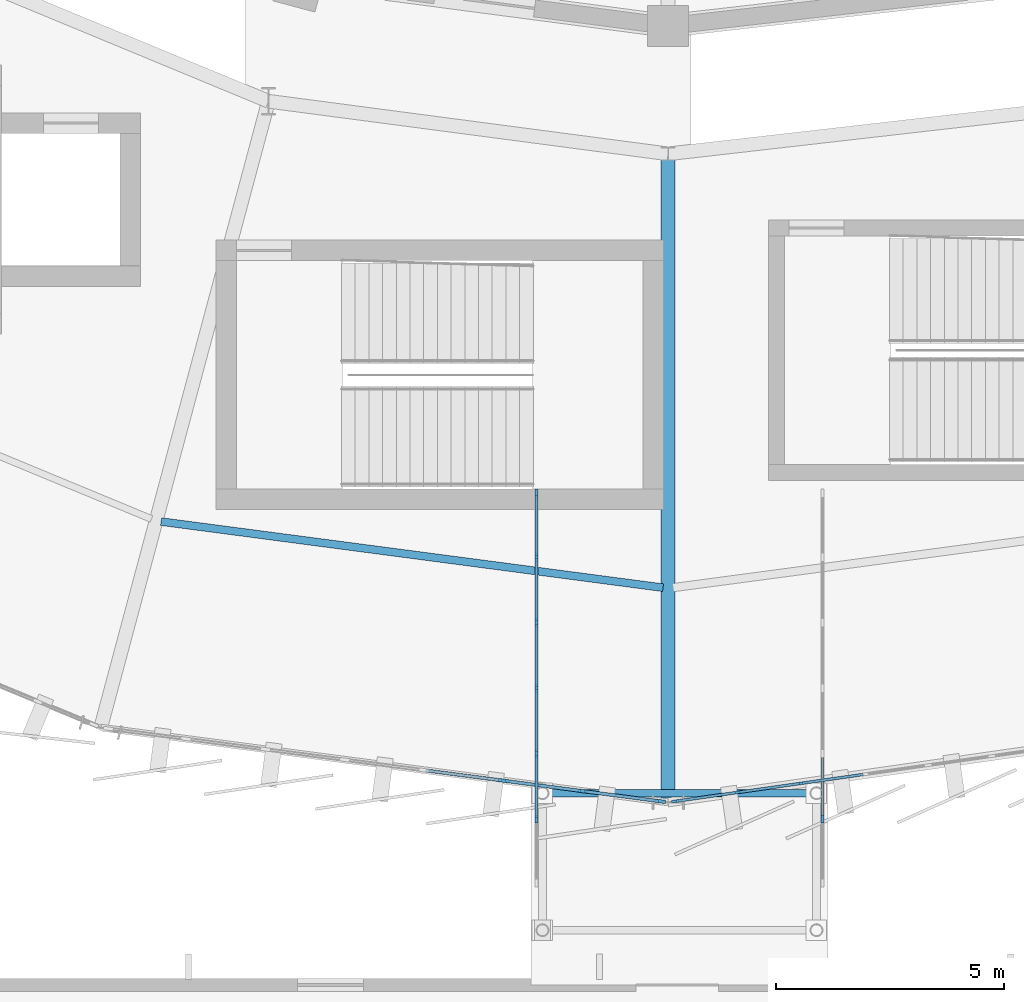
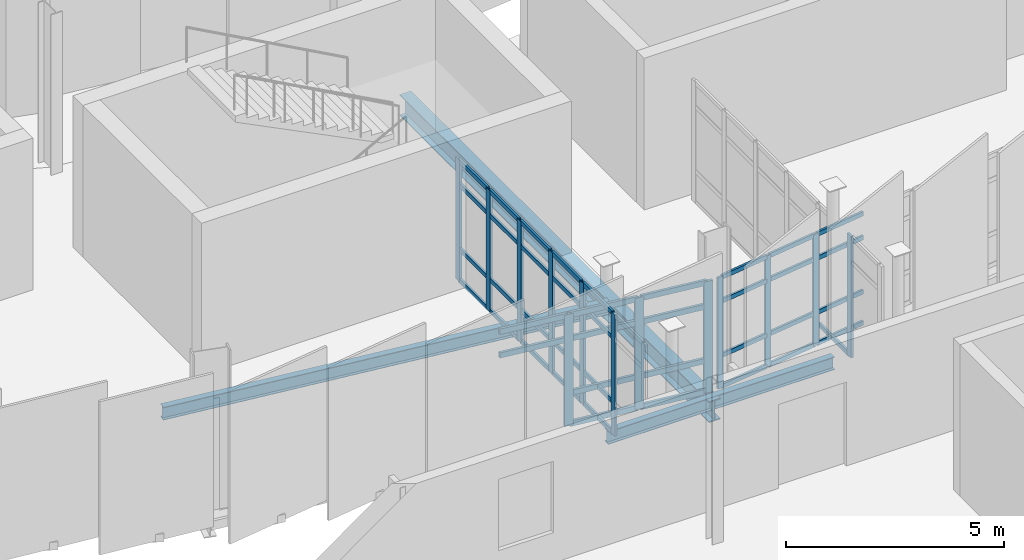
# One storey, part 34 of 134: 56 members, 3 beams, 4 elements without a shape of their own.
"""IFC4 building model written with IfcOpenShell, lengths in metres."""

from ifc_helpers import new_model, si_unit, direction, frame, origin, origin_2d, place, context, subcontext, project, spatial, rectangle, i_section, extrude, material, layer, layer_set, material_profile, profile_set, type_object, element, aggregate, save


model = new_model("IFC4")

# Units and contexts
model_context = context("Model", 3, precision=1e-05, world=origin(), true_north=direction((0.0, 1.0)))
body_context = subcontext(model_context, "Body", "Model", "MODEL_VIEW")
ifc_project = project(units=[si_unit("LENGTHUNIT", "METRE"), si_unit("AREAUNIT", "SQUARE_METRE"), si_unit("VOLUMEUNIT", "CUBIC_METRE"), si_unit("PLANEANGLEUNIT", "RADIAN"), si_unit("MASSUNIT", "GRAM", prefix="KILO")], contexts=[model_context])

# Site, building, storey
site_placement = place(None, origin())
site = spatial("IfcSite", under=ifc_project, at=site_placement, CompositionType="ELEMENT")
building_placement = place(site_placement, origin())
building = spatial("IfcBuilding", under=site, at=building_placement, Name="Sohan Crest Arena", CompositionType="ELEMENT")
storey_placement = place(building_placement, frame((0.0, 0.0, 4.5)))
storey = spatial("IfcBuildingStorey", under=building, at=storey_placement, Name="L01", CompositionType="ELEMENT", Elevation=4.5)

# Curtain wall, members
ifc_material_1 = material(Name="Thermally broken anodised aluminium", Category="aluminium")
ifc_layer_1 = layer(ifc_material_1, 0.179931640625, Name="Thermally broken anodised aluminium")
ifc_layer_set_1 = layer_set([ifc_layer_1], Name="Thermally broken anodised aluminium")
curtain_wall_type_1 = type_object("IfcCurtainWallType", Name="ARC-CW01", PredefinedType="NOTDEFINED", material=ifc_layer_set_1)
curtain_wall_1_placement = place(storey_placement, origin())
curtain_wall_1 = element("IfcCurtainWall", 1, at=curtain_wall_1_placement, inside=storey, type_object=curtain_wall_type_1, Name="Unitised curtain wall CW-030", PredefinedType="NOTDEFINED")
ifc_material_profile_1 = material_profile(ifc_material_1, rectangle(XDim=0.06005859375, YDim=0.159912109375, at=origin_2d()), Name="ALU-MULL 60x160")
ifc_profile_set_1 = profile_set([ifc_material_profile_1], Name="Thermally broken anodised aluminium")
member_type_1 = type_object("IfcMemberType", Name="ARC-CW-ML01", PredefinedType="MULLION", material=ifc_profile_set_1)
member_1_placement = place(storey_placement, frame((98.15869140625, 30.022216796875, 0.0), z_axis=(0.0, 0.0, 1.0), x_axis=(-0.141549389674, 0.989931194722, 0.0)))
member_1 = element("IfcMember", 2, at=member_1_placement, type_object=member_type_1, Name="CW-030 mullion 1", PredefinedType="MULLION", context=body_context, shape_type="SweptSolid", body=[
    extrude(rectangle(XDim=0.06005859375, YDim=0.159912109375, at=origin_2d()), origin(), (0.0, 0.0, 1.0), 3.1201171875),
])
member_2_placement = place(storey_placement, frame((99.520751953125, 30.217041015625, 0.0), z_axis=(0.0, 0.0, 1.0), x_axis=(-0.141549389674, 0.989931194722, 0.0)))
member_2 = element("IfcMember", 3, at=member_2_placement, type_object=member_type_1, Name="CW-030 mullion 2", PredefinedType="MULLION", context=body_context, shape_type="SweptSolid", body=[
    extrude(rectangle(XDim=0.06005859375, YDim=0.159912109375, at=origin_2d()), origin(), (0.0, 0.0, 1.0), 3.1201171875),
])
member_3_placement = place(storey_placement, frame((100.912353515625, 30.416015625, 0.0), z_axis=(0.0, 0.0, 1.0), x_axis=(-0.141549389674, 0.989931194722, 0.0)))
member_3 = element("IfcMember", 4, at=member_3_placement, type_object=member_type_1, Name="CW-030 mullion 3", PredefinedType="MULLION", context=body_context, shape_type="SweptSolid", body=[
    extrude(rectangle(XDim=0.06005859375, YDim=0.159912109375, at=origin_2d()), origin(), (0.0, 0.0, 1.0), 3.1201171875),
])

ifc_layer_2 = layer(ifc_material_1, 0.18994140625, Name="Thermally broken anodised aluminium")
ifc_layer_set_2 = layer_set([ifc_layer_2], Name="Thermally broken anodised aluminium")
curtain_wall_type_2 = type_object("IfcCurtainWallType", Name="ARC-CW05", PredefinedType="NOTDEFINED", material=ifc_layer_set_2)
curtain_wall_2_placement = place(storey_placement, origin())
curtain_wall_2 = element("IfcCurtainWall", 5, at=curtain_wall_2_placement, inside=storey, type_object=curtain_wall_type_2, Name="Unitised curtain wall CW-249", PredefinedType="NOTDEFINED")
ifc_material_profile_2 = material_profile(ifc_material_1, rectangle(XDim=0.06494140625, YDim=0.179931640625, at=origin_2d()), Name="ALU-MULL 65x180")
ifc_profile_set_2 = profile_set([ifc_material_profile_2], Name="Thermally broken anodised aluminium")
member_type_2 = type_object("IfcMemberType", Name="ARC-CW-ML02", PredefinedType="MULLION", material=ifc_profile_set_2)
member_4_placement = place(storey_placement, frame((95.1201171875, 29.63330078125, 0.0), z_axis=(0.0, 0.0, 1.0), x_axis=(-1.0, 0.0, 0.0)))
member_4 = element("IfcMember", 6, at=member_4_placement, type_object=member_type_2, Name="CW-249 mullion 2", PredefinedType="MULLION", context=body_context, shape_type="SweptSolid", body=[
    extrude(rectangle(XDim=0.06494140625, YDim=0.179931640625, at=origin_2d()), origin(), (0.0, 0.0, 1.0), 3.39990234375),
])
member_5_placement = place(storey_placement, frame((95.1201171875, 31.066650390625, 0.0), z_axis=(0.0, 0.0, 1.0), x_axis=(-1.0, 0.0, 0.0)))
member_5 = element("IfcMember", 7, at=member_5_placement, type_object=member_type_2, Name="CW-249 mullion 3", PredefinedType="MULLION", context=body_context, shape_type="SweptSolid", body=[
    extrude(rectangle(XDim=0.06494140625, YDim=0.179931640625, at=origin_2d()), origin(), (0.0, 0.0, 1.0), 3.39990234375),
])
member_6_placement = place(storey_placement, frame((95.1201171875, 32.5, 0.0), z_axis=(0.0, 0.0, 1.0), x_axis=(-1.0, 0.0, 0.0)))
member_6 = element("IfcMember", 8, at=member_6_placement, type_object=member_type_2, Name="CW-249 mullion 4", PredefinedType="MULLION", context=body_context, shape_type="SweptSolid", body=[
    extrude(rectangle(XDim=0.06494140625, YDim=0.179931640625, at=origin_2d()), origin(), (0.0, 0.0, 1.0), 3.39990234375),
])
member_7_placement = place(storey_placement, frame((95.1201171875, 33.933349609375, 0.0), z_axis=(0.0, 0.0, 1.0), x_axis=(-1.0, 0.0, 0.0)))
member_7 = element("IfcMember", 9, at=member_7_placement, type_object=member_type_2, Name="CW-249 mullion 5", PredefinedType="MULLION", context=body_context, shape_type="SweptSolid", body=[
    extrude(rectangle(XDim=0.06494140625, YDim=0.179931640625, at=origin_2d()), origin(), (0.0, 0.0, 1.0), 3.39990234375),
])
member_8_placement = place(storey_placement, frame((95.1201171875, 35.36669921875, 0.0), z_axis=(0.0, 0.0, 1.0), x_axis=(-1.0, 0.0, 0.0)))
member_8 = element("IfcMember", 10, at=member_8_placement, type_object=member_type_2, Name="CW-249 mullion 6", PredefinedType="MULLION", context=body_context, shape_type="SweptSolid", body=[
    extrude(rectangle(XDim=0.06494140625, YDim=0.179931640625, at=origin_2d()), origin(), (0.0, 0.0, 1.0), 3.39990234375),
])
member_9_placement = place(storey_placement, frame((95.1201171875, 36.767578125, 0.0), z_axis=(0.0, 0.0, 1.0), x_axis=(-1.0, 0.0, 0.0)))
member_9 = element("IfcMember", 11, at=member_9_placement, type_object=member_type_2, Name="CW-249 mullion 7", PredefinedType="MULLION", context=body_context, shape_type="SweptSolid", body=[
    extrude(rectangle(XDim=0.06494140625, YDim=0.179931640625, at=origin_2d()), origin(), (0.0, 0.0, 1.0), 3.39990234375),
])

# Curtain wall, member
curtain_wall_3_placement = place(storey_placement, origin())
curtain_wall_3 = element("IfcCurtainWall", 12, at=curtain_wall_3_placement, inside=storey, type_object=curtain_wall_type_2, Name="Unitised curtain wall CW-250", PredefinedType="NOTDEFINED")
member_10_placement = place(storey_placement, frame((101.3798828125, 29.63330078125, 0.0), z_axis=(0.0, 0.0, 1.0), x_axis=(-1.0, 0.0, 0.0)))
member_10 = element("IfcMember", 13, at=member_10_placement, type_object=member_type_2, Name="CW-250 mullion 2", PredefinedType="MULLION", context=body_context, shape_type="SweptSolid", body=[
    extrude(rectangle(XDim=0.06494140625, YDim=0.179931640625, at=origin_2d()), origin(), (0.0, 0.0, 1.0), 3.39990234375),
])

# Curtain wall, members
ifc_layer_3 = layer(ifc_material_1, 0.2099609375, Name="Thermally broken anodised aluminium")
ifc_layer_set_3 = layer_set([ifc_layer_3], Name="Thermally broken anodised aluminium")
curtain_wall_type_3 = type_object("IfcCurtainWallType", Name="ARC-CW06", PredefinedType="NOTDEFINED", material=ifc_layer_set_3)
curtain_wall_4_placement = place(storey_placement, origin())
curtain_wall_4 = element("IfcCurtainWall", 14, at=curtain_wall_4_placement, inside=storey, type_object=curtain_wall_type_3, Name="Unitised curtain wall CW-029", PredefinedType="NOTDEFINED")
ifc_material_profile_3 = material_profile(ifc_material_1, rectangle(XDim=0.074951171875, YDim=0.219970703125, at=origin_2d()), Name="ALU-MULL 75x220")
ifc_profile_set_3 = profile_set([ifc_material_profile_3], Name="Thermally broken anodised aluminium")
member_type_3 = type_object("IfcMemberType", Name="ARC-CW-ML04", PredefinedType="MULLION", material=ifc_profile_set_3)
member_11_placement = place(storey_placement, frame((94.395263671875, 30.474609375, 0.0), z_axis=(0.0, 0.0, 1.0), x_axis=(0.130562031094, 0.991440142438, 0.0)))
member_11 = element("IfcMember", 15, at=member_11_placement, type_object=member_type_3, Name="CW-029 mullion 6", PredefinedType="MULLION", context=body_context, shape_type="SweptSolid", body=[
    extrude(rectangle(XDim=0.074951171875, YDim=0.219970703125, at=origin_2d()), origin(), (0.0, 0.0, 1.0), 3.1201171875),
])
member_12_placement = place(storey_placement, frame((96.133056640625, 30.245849609375, 0.0), z_axis=(0.0, 0.0, 1.0), x_axis=(0.130562031094, 0.991440142438, 0.0)))
member_12 = element("IfcMember", 16, at=member_12_placement, type_object=member_type_3, Name="CW-029 mullion 7", PredefinedType="MULLION", context=body_context, shape_type="SweptSolid", body=[
    extrude(rectangle(XDim=0.074951171875, YDim=0.219970703125, at=origin_2d()), origin(), (0.0, 0.0, 1.0), 3.1201171875),
])
member_13_placement = place(storey_placement, frame((97.833740234375, 30.02197265625, 0.0), z_axis=(0.0, 0.0, 1.0), x_axis=(0.130562031094, 0.991440142438, 0.0)))
member_13 = element("IfcMember", 17, at=member_13_placement, type_object=member_type_3, Name="CW-029 mullion 8", PredefinedType="MULLION", context=body_context, shape_type="SweptSolid", body=[
    extrude(rectangle(XDim=0.074951171875, YDim=0.219970703125, at=origin_2d()), origin(), (0.0, 0.0, 1.0), 3.1201171875),
])

# Member
ifc_material_profile_4 = material_profile(ifc_material_1, rectangle(XDim=0.06005859375, YDim=0.1201171875, at=origin_2d()), Name="ALU-TRAN 60x120")
ifc_profile_set_4 = profile_set([ifc_material_profile_4], Name="Thermally broken anodised aluminium")
member_type_4 = type_object("IfcMemberType", Name="ARC-CW-TR01", PredefinedType="USERDEFINED", material=ifc_profile_set_4)
member_14_placement = place(storey_placement, frame((98.1884765625, 30.026611328125, 0.030029296875), z_axis=(0.989953204485, 0.141395378035, 0.0), x_axis=(-0.141395378035, 0.989953204485, 0.0)))
member_14 = element("IfcMember", 18, at=member_14_placement, type_object=member_type_4, Name="CW-030 transom 1.1", ObjectType="TRANSOM", PredefinedType="USERDEFINED", context=body_context, shape_type="SweptSolid", body=[
    extrude(rectangle(XDim=0.06005859375, YDim=0.1201171875, at=origin_2d()), origin(), (0.0, 0.0, 1.0), 1.315673828125),
])

member_15_placement = place(storey_placement, frame((98.1884765625, 30.026611328125, 0.89990234375), z_axis=(0.989953204485, 0.141395378035, 0.0), x_axis=(-0.141395378035, 0.989953204485, 0.0)))
member_15 = element("IfcMember", 19, at=member_15_placement, type_object=member_type_4, Name="CW-030 transom 1.2", ObjectType="TRANSOM", PredefinedType="USERDEFINED", context=body_context, shape_type="SweptSolid", body=[
    extrude(rectangle(XDim=0.06005859375, YDim=0.1201171875, at=origin_2d()), origin(), (0.0, 0.0, 1.0), 1.315673828125),
])

member_16_placement = place(storey_placement, frame((98.1884765625, 30.026611328125, 2.419921875), z_axis=(0.989953204485, 0.141395378035, 0.0), x_axis=(-0.141395378035, 0.989953204485, 0.0)))
member_16 = element("IfcMember", 20, at=member_16_placement, type_object=member_type_4, Name="CW-030 transom 1.3", ObjectType="TRANSOM", PredefinedType="USERDEFINED", context=body_context, shape_type="SweptSolid", body=[
    extrude(rectangle(XDim=0.06005859375, YDim=0.1201171875, at=origin_2d()), origin(), (0.0, 0.0, 1.0), 1.315673828125),
])

member_17_placement = place(storey_placement, frame((98.1884765625, 30.026611328125, 3.090087890625), z_axis=(0.989953204485, 0.141395378035, 0.0), x_axis=(-0.141395378035, 0.989953204485, 0.0)))
member_17 = element("IfcMember", 21, at=member_17_placement, type_object=member_type_4, Name="CW-030 transom 1.4", ObjectType="TRANSOM", PredefinedType="USERDEFINED", context=body_context, shape_type="SweptSolid", body=[
    extrude(rectangle(XDim=0.06005859375, YDim=0.1201171875, at=origin_2d()), origin(), (0.0, 0.0, 1.0), 1.315673828125),
])

member_18_placement = place(storey_placement, frame((99.55029296875, 30.22119140625, 0.030029296875), z_axis=(0.989916820705, 0.141649878522, 0.0), x_axis=(-0.141649878522, 0.989916820705, 0.0)))
member_18 = element("IfcMember", 22, at=member_18_placement, type_object=member_type_4, Name="CW-030 transom 2.1", ObjectType="TRANSOM", PredefinedType="USERDEFINED", context=body_context, shape_type="SweptSolid", body=[
    extrude(rectangle(XDim=0.06005859375, YDim=0.1201171875, at=origin_2d()), origin(), (0.0, 0.0, 1.0), 1.34619140625),
])

member_19_placement = place(storey_placement, frame((99.55029296875, 30.22119140625, 0.89990234375), z_axis=(0.989916820705, 0.141649878522, 0.0), x_axis=(-0.141649878522, 0.989916820705, 0.0)))
member_19 = element("IfcMember", 23, at=member_19_placement, type_object=member_type_4, Name="CW-030 transom 2.2", ObjectType="TRANSOM", PredefinedType="USERDEFINED", context=body_context, shape_type="SweptSolid", body=[
    extrude(rectangle(XDim=0.06005859375, YDim=0.1201171875, at=origin_2d()), origin(), (0.0, 0.0, 1.0), 1.34619140625),
])

member_20_placement = place(storey_placement, frame((99.55029296875, 30.22119140625, 2.419921875), z_axis=(0.989916820705, 0.141649878522, 0.0), x_axis=(-0.141649878522, 0.989916820705, 0.0)))
member_20 = element("IfcMember", 24, at=member_20_placement, type_object=member_type_4, Name="CW-030 transom 2.3", ObjectType="TRANSOM", PredefinedType="USERDEFINED", context=body_context, shape_type="SweptSolid", body=[
    extrude(rectangle(XDim=0.06005859375, YDim=0.1201171875, at=origin_2d()), origin(), (0.0, 0.0, 1.0), 1.34619140625),
])

member_21_placement = place(storey_placement, frame((99.55029296875, 30.22119140625, 3.090087890625), z_axis=(0.989916820705, 0.141649878522, 0.0), x_axis=(-0.141649878522, 0.989916820705, 0.0)))
member_21 = element("IfcMember", 25, at=member_21_placement, type_object=member_type_4, Name="CW-030 transom 2.4", ObjectType="TRANSOM", PredefinedType="USERDEFINED", context=body_context, shape_type="SweptSolid", body=[
    extrude(rectangle(XDim=0.06005859375, YDim=0.1201171875, at=origin_2d()), origin(), (0.0, 0.0, 1.0), 1.34619140625),
])

member_22_placement = place(storey_placement, frame((100.942138671875, 30.420166015625, 0.030029296875), z_axis=(0.989913180595, 0.141675315016, 0.0), x_axis=(-0.141675315016, 0.989913180595, 0.0)))
member_22 = element("IfcMember", 26, at=member_22_placement, type_object=member_type_4, Name="CW-030 transom 3.1", ObjectType="TRANSOM", PredefinedType="USERDEFINED", context=body_context, shape_type="SweptSolid", body=[
    extrude(rectangle(XDim=0.06005859375, YDim=0.1201171875, at=origin_2d()), origin(), (0.0, 0.0, 1.0), 1.345947265625),
])

member_23_placement = place(storey_placement, frame((100.942138671875, 30.420166015625, 0.89990234375), z_axis=(0.989913180595, 0.141675315016, 0.0), x_axis=(-0.141675315016, 0.989913180595, 0.0)))
member_23 = element("IfcMember", 27, at=member_23_placement, type_object=member_type_4, Name="CW-030 transom 3.2", ObjectType="TRANSOM", PredefinedType="USERDEFINED", context=body_context, shape_type="SweptSolid", body=[
    extrude(rectangle(XDim=0.06005859375, YDim=0.1201171875, at=origin_2d()), origin(), (0.0, 0.0, 1.0), 1.345947265625),
])

member_24_placement = place(storey_placement, frame((100.942138671875, 30.420166015625, 2.419921875), z_axis=(0.989913180595, 0.141675315016, 0.0), x_axis=(-0.141675315016, 0.989913180595, 0.0)))
member_24 = element("IfcMember", 28, at=member_24_placement, type_object=member_type_4, Name="CW-030 transom 3.3", ObjectType="TRANSOM", PredefinedType="USERDEFINED", context=body_context, shape_type="SweptSolid", body=[
    extrude(rectangle(XDim=0.06005859375, YDim=0.1201171875, at=origin_2d()), origin(), (0.0, 0.0, 1.0), 1.345947265625),
])

member_25_placement = place(storey_placement, frame((100.942138671875, 30.420166015625, 3.090087890625), z_axis=(0.989913180595, 0.141675315016, 0.0), x_axis=(-0.141675315016, 0.989913180595, 0.0)))
member_25 = element("IfcMember", 29, at=member_25_placement, type_object=member_type_4, Name="CW-030 transom 3.4", ObjectType="TRANSOM", PredefinedType="USERDEFINED", context=body_context, shape_type="SweptSolid", body=[
    extrude(rectangle(XDim=0.06005859375, YDim=0.1201171875, at=origin_2d()), origin(), (0.0, 0.0, 1.0), 1.345947265625),
])

aggregate(curtain_wall_1, [member_1, member_2, member_3, member_14, member_15, member_16, member_17, member_18, member_19, member_20, member_21, member_22, member_23, member_24, member_25])

member_26_placement = place(storey_placement, frame((95.1201171875, 29.665771484375, 0.030029296875), z_axis=(0.0, 1.0, 0.0), x_axis=(-1.0, 0.0, 0.0)))
member_26 = element("IfcMember", 30, at=member_26_placement, type_object=member_type_4, Name="CW-249 transom 2.1", ObjectType="TRANSOM", PredefinedType="USERDEFINED", context=body_context, shape_type="SweptSolid", body=[
    extrude(rectangle(XDim=0.06005859375, YDim=0.1201171875, at=origin_2d()), origin(), (0.0, 0.0, 1.0), 1.368408203125),
])

member_27_placement = place(storey_placement, frame((95.1201171875, 29.665771484375, 0.89990234375), z_axis=(0.0, 1.0, 0.0), x_axis=(-1.0, 0.0, 0.0)))
member_27 = element("IfcMember", 31, at=member_27_placement, type_object=member_type_4, Name="CW-249 transom 2.2", ObjectType="TRANSOM", PredefinedType="USERDEFINED", context=body_context, shape_type="SweptSolid", body=[
    extrude(rectangle(XDim=0.06005859375, YDim=0.1201171875, at=origin_2d()), origin(), (0.0, 0.0, 1.0), 1.368408203125),
])

member_28_placement = place(storey_placement, frame((95.1201171875, 29.665771484375, 2.699951171875), z_axis=(0.0, 1.0, 0.0), x_axis=(-1.0, 0.0, 0.0)))
member_28 = element("IfcMember", 32, at=member_28_placement, type_object=member_type_4, Name="CW-249 transom 2.3", ObjectType="TRANSOM", PredefinedType="USERDEFINED", context=body_context, shape_type="SweptSolid", body=[
    extrude(rectangle(XDim=0.06005859375, YDim=0.1201171875, at=origin_2d()), origin(), (0.0, 0.0, 1.0), 1.368408203125),
])

member_29_placement = place(storey_placement, frame((95.1201171875, 29.665771484375, 3.3701171875), z_axis=(0.0, 1.0, 0.0), x_axis=(-1.0, 0.0, 0.0)))
member_29 = element("IfcMember", 33, at=member_29_placement, type_object=member_type_4, Name="CW-249 transom 2.4", ObjectType="TRANSOM", PredefinedType="USERDEFINED", context=body_context, shape_type="SweptSolid", body=[
    extrude(rectangle(XDim=0.06005859375, YDim=0.1201171875, at=origin_2d()), origin(), (0.0, 0.0, 1.0), 1.368408203125),
])

member_30_placement = place(storey_placement, frame((95.1201171875, 31.09912109375, 0.030029296875), z_axis=(0.0, 1.0, 0.0), x_axis=(-1.0, 0.0, 0.0)))
member_30 = element("IfcMember", 34, at=member_30_placement, type_object=member_type_4, Name="CW-249 transom 3.1", ObjectType="TRANSOM", PredefinedType="USERDEFINED", context=body_context, shape_type="SweptSolid", body=[
    extrude(rectangle(XDim=0.06005859375, YDim=0.1201171875, at=origin_2d()), origin(), (0.0, 0.0, 1.0), 1.368408203125),
])

member_31_placement = place(storey_placement, frame((95.1201171875, 31.09912109375, 0.89990234375), z_axis=(0.0, 1.0, 0.0), x_axis=(-1.0, 0.0, 0.0)))
member_31 = element("IfcMember", 35, at=member_31_placement, type_object=member_type_4, Name="CW-249 transom 3.2", ObjectType="TRANSOM", PredefinedType="USERDEFINED", context=body_context, shape_type="SweptSolid", body=[
    extrude(rectangle(XDim=0.06005859375, YDim=0.1201171875, at=origin_2d()), origin(), (0.0, 0.0, 1.0), 1.368408203125),
])

member_32_placement = place(storey_placement, frame((95.1201171875, 31.09912109375, 2.699951171875), z_axis=(0.0, 1.0, 0.0), x_axis=(-1.0, 0.0, 0.0)))
member_32 = element("IfcMember", 36, at=member_32_placement, type_object=member_type_4, Name="CW-249 transom 3.3", ObjectType="TRANSOM", PredefinedType="USERDEFINED", context=body_context, shape_type="SweptSolid", body=[
    extrude(rectangle(XDim=0.06005859375, YDim=0.1201171875, at=origin_2d()), origin(), (0.0, 0.0, 1.0), 1.368408203125),
])

member_33_placement = place(storey_placement, frame((95.1201171875, 31.09912109375, 3.3701171875), z_axis=(0.0, 1.0, 0.0), x_axis=(-1.0, 0.0, 0.0)))
member_33 = element("IfcMember", 37, at=member_33_placement, type_object=member_type_4, Name="CW-249 transom 3.4", ObjectType="TRANSOM", PredefinedType="USERDEFINED", context=body_context, shape_type="SweptSolid", body=[
    extrude(rectangle(XDim=0.06005859375, YDim=0.1201171875, at=origin_2d()), origin(), (0.0, 0.0, 1.0), 1.368408203125),
])

member_34_placement = place(storey_placement, frame((95.1201171875, 32.532470703125, 0.030029296875), z_axis=(0.0, 1.0, 0.0), x_axis=(-1.0, 0.0, 0.0)))
member_34 = element("IfcMember", 38, at=member_34_placement, type_object=member_type_4, Name="CW-249 transom 4.1", ObjectType="TRANSOM", PredefinedType="USERDEFINED", context=body_context, shape_type="SweptSolid", body=[
    extrude(rectangle(XDim=0.06005859375, YDim=0.1201171875, at=origin_2d()), origin(), (0.0, 0.0, 1.0), 1.368408203125),
])

member_35_placement = place(storey_placement, frame((95.1201171875, 32.532470703125, 0.89990234375), z_axis=(0.0, 1.0, 0.0), x_axis=(-1.0, 0.0, 0.0)))
member_35 = element("IfcMember", 39, at=member_35_placement, type_object=member_type_4, Name="CW-249 transom 4.2", ObjectType="TRANSOM", PredefinedType="USERDEFINED", context=body_context, shape_type="SweptSolid", body=[
    extrude(rectangle(XDim=0.06005859375, YDim=0.1201171875, at=origin_2d()), origin(), (0.0, 0.0, 1.0), 1.368408203125),
])

member_36_placement = place(storey_placement, frame((95.1201171875, 32.532470703125, 2.699951171875), z_axis=(0.0, 1.0, 0.0), x_axis=(-1.0, 0.0, 0.0)))
member_36 = element("IfcMember", 40, at=member_36_placement, type_object=member_type_4, Name="CW-249 transom 4.3", ObjectType="TRANSOM", PredefinedType="USERDEFINED", context=body_context, shape_type="SweptSolid", body=[
    extrude(rectangle(XDim=0.06005859375, YDim=0.1201171875, at=origin_2d()), origin(), (0.0, 0.0, 1.0), 1.368408203125),
])

member_37_placement = place(storey_placement, frame((95.1201171875, 32.532470703125, 3.3701171875), z_axis=(0.0, 1.0, 0.0), x_axis=(-1.0, 0.0, 0.0)))
member_37 = element("IfcMember", 41, at=member_37_placement, type_object=member_type_4, Name="CW-249 transom 4.4", ObjectType="TRANSOM", PredefinedType="USERDEFINED", context=body_context, shape_type="SweptSolid", body=[
    extrude(rectangle(XDim=0.06005859375, YDim=0.1201171875, at=origin_2d()), origin(), (0.0, 0.0, 1.0), 1.368408203125),
])

member_38_placement = place(storey_placement, frame((95.1201171875, 33.9658203125, 0.030029296875), z_axis=(0.0, 1.0, 0.0), x_axis=(-1.0, 0.0, 0.0)))
member_38 = element("IfcMember", 42, at=member_38_placement, type_object=member_type_4, Name="CW-249 transom 5.1", ObjectType="TRANSOM", PredefinedType="USERDEFINED", context=body_context, shape_type="SweptSolid", body=[
    extrude(rectangle(XDim=0.06005859375, YDim=0.1201171875, at=origin_2d()), origin(), (0.0, 0.0, 1.0), 1.368408203125),
])

member_39_placement = place(storey_placement, frame((95.1201171875, 33.9658203125, 0.89990234375), z_axis=(0.0, 1.0, 0.0), x_axis=(-1.0, 0.0, 0.0)))
member_39 = element("IfcMember", 43, at=member_39_placement, type_object=member_type_4, Name="CW-249 transom 5.2", ObjectType="TRANSOM", PredefinedType="USERDEFINED", context=body_context, shape_type="SweptSolid", body=[
    extrude(rectangle(XDim=0.06005859375, YDim=0.1201171875, at=origin_2d()), origin(), (0.0, 0.0, 1.0), 1.368408203125),
])

member_40_placement = place(storey_placement, frame((95.1201171875, 33.9658203125, 2.699951171875), z_axis=(0.0, 1.0, 0.0), x_axis=(-1.0, 0.0, 0.0)))
member_40 = element("IfcMember", 44, at=member_40_placement, type_object=member_type_4, Name="CW-249 transom 5.3", ObjectType="TRANSOM", PredefinedType="USERDEFINED", context=body_context, shape_type="SweptSolid", body=[
    extrude(rectangle(XDim=0.06005859375, YDim=0.1201171875, at=origin_2d()), origin(), (0.0, 0.0, 1.0), 1.368408203125),
])

member_41_placement = place(storey_placement, frame((95.1201171875, 33.9658203125, 3.3701171875), z_axis=(0.0, 1.0, 0.0), x_axis=(-1.0, 0.0, 0.0)))
member_41 = element("IfcMember", 45, at=member_41_placement, type_object=member_type_4, Name="CW-249 transom 5.4", ObjectType="TRANSOM", PredefinedType="USERDEFINED", context=body_context, shape_type="SweptSolid", body=[
    extrude(rectangle(XDim=0.06005859375, YDim=0.1201171875, at=origin_2d()), origin(), (0.0, 0.0, 1.0), 1.368408203125),
])

member_42_placement = place(storey_placement, frame((95.1201171875, 35.399169921875, 0.030029296875), z_axis=(0.0, 1.0, 0.0), x_axis=(-1.0, 0.0, 0.0)))
member_42 = element("IfcMember", 46, at=member_42_placement, type_object=member_type_4, Name="CW-249 transom 6.1", ObjectType="TRANSOM", PredefinedType="USERDEFINED", context=body_context, shape_type="SweptSolid", body=[
    extrude(rectangle(XDim=0.06005859375, YDim=0.1201171875, at=origin_2d()), origin(), (0.0, 0.0, 1.0), 1.3359375),
])

member_43_placement = place(storey_placement, frame((95.1201171875, 35.399169921875, 0.89990234375), z_axis=(0.0, 1.0, 0.0), x_axis=(-1.0, 0.0, 0.0)))
member_43 = element("IfcMember", 47, at=member_43_placement, type_object=member_type_4, Name="CW-249 transom 6.2", ObjectType="TRANSOM", PredefinedType="USERDEFINED", context=body_context, shape_type="SweptSolid", body=[
    extrude(rectangle(XDim=0.06005859375, YDim=0.1201171875, at=origin_2d()), origin(), (0.0, 0.0, 1.0), 1.3359375),
])

member_44_placement = place(storey_placement, frame((95.1201171875, 35.399169921875, 2.699951171875), z_axis=(0.0, 1.0, 0.0), x_axis=(-1.0, 0.0, 0.0)))
member_44 = element("IfcMember", 48, at=member_44_placement, type_object=member_type_4, Name="CW-249 transom 6.3", ObjectType="TRANSOM", PredefinedType="USERDEFINED", context=body_context, shape_type="SweptSolid", body=[
    extrude(rectangle(XDim=0.06005859375, YDim=0.1201171875, at=origin_2d()), origin(), (0.0, 0.0, 1.0), 1.3359375),
])

member_45_placement = place(storey_placement, frame((95.1201171875, 35.399169921875, 3.3701171875), z_axis=(0.0, 1.0, 0.0), x_axis=(-1.0, 0.0, 0.0)))
member_45 = element("IfcMember", 49, at=member_45_placement, type_object=member_type_4, Name="CW-249 transom 6.4", ObjectType="TRANSOM", PredefinedType="USERDEFINED", context=body_context, shape_type="SweptSolid", body=[
    extrude(rectangle(XDim=0.06005859375, YDim=0.1201171875, at=origin_2d()), origin(), (0.0, 0.0, 1.0), 1.3359375),
])

aggregate(curtain_wall_2, [member_4, member_5, member_6, member_7, member_8, member_9, member_26, member_27, member_28, member_29, member_30, member_31, member_32, member_33, member_34, member_35, member_36, member_37, member_38, member_39, member_40, member_41, member_42, member_43, member_44, member_45])

member_46_placement = place(storey_placement, frame((101.3798828125, 29.665771484375, 0.030029296875), z_axis=(0.0, 1.0, 0.0), x_axis=(-1.0, 0.0, 0.0)))
member_46 = element("IfcMember", 50, at=member_46_placement, type_object=member_type_4, Name="CW-250 transom 2.1", ObjectType="TRANSOM", PredefinedType="USERDEFINED", context=body_context, shape_type="SweptSolid", body=[
    extrude(rectangle(XDim=0.06005859375, YDim=0.1201171875, at=origin_2d()), origin(), (0.0, 0.0, 1.0), 1.368408203125),
])

aggregate(curtain_wall_3, [member_10, member_46])

ifc_material_profile_5 = material_profile(ifc_material_1, rectangle(XDim=0.070068359375, YDim=0.14990234375, at=origin_2d()), Name="ALU-TRAN 70x150")
ifc_profile_set_5 = profile_set([ifc_material_profile_5], Name="Thermally broken anodised aluminium")
member_type_5 = type_object("IfcMemberType", Name="ARC-CW-TR03", PredefinedType="USERDEFINED", material=ifc_profile_set_5)
member_47_placement = place(storey_placement, frame((92.694580078125, 30.69873046875, 2.419921875), z_axis=(0.991427532284, -0.130657752273, 0.0), x_axis=(0.130657752273, 0.991427532284, 0.0)))
member_47 = element("IfcMember", 51, at=member_47_placement, type_object=member_type_5, Name="CW-029 transom 5.3", ObjectType="TRANSOM", PredefinedType="USERDEFINED", context=body_context, shape_type="SweptSolid", body=[
    extrude(rectangle(XDim=0.070068359375, YDim=0.14990234375, at=origin_2d()), origin(), (0.0, 0.0, 1.0), 1.677978515625),
])

member_48_placement = place(storey_placement, frame((92.694580078125, 30.69873046875, 3.0849609375), z_axis=(0.991427532284, -0.130657752273, 0.0), x_axis=(0.130657752273, 0.991427532284, 0.0)))
member_48 = element("IfcMember", 52, at=member_48_placement, type_object=member_type_5, Name="CW-029 transom 5.4", ObjectType="TRANSOM", PredefinedType="USERDEFINED", context=body_context, shape_type="SweptSolid", body=[
    extrude(rectangle(XDim=0.070068359375, YDim=0.14990234375, at=origin_2d()), origin(), (0.0, 0.0, 1.0), 1.677978515625),
])

member_49_placement = place(storey_placement, frame((94.432373046875, 30.4697265625, 0.034912109375), z_axis=(0.991446369881, -0.130514733458, 0.0), x_axis=(0.130514733458, 0.991446369881, 0.0)))
member_49 = element("IfcMember", 53, at=member_49_placement, type_object=member_type_5, Name="CW-029 transom 6.1", ObjectType="TRANSOM", PredefinedType="USERDEFINED", context=body_context, shape_type="SweptSolid", body=[
    extrude(rectangle(XDim=0.070068359375, YDim=0.14990234375, at=origin_2d()), origin(), (0.0, 0.0, 1.0), 1.677978515625),
])

member_50_placement = place(storey_placement, frame((94.432373046875, 30.4697265625, 0.89990234375), z_axis=(0.991446369881, -0.130514733458, 0.0), x_axis=(0.130514733458, 0.991446369881, 0.0)))
member_50 = element("IfcMember", 54, at=member_50_placement, type_object=member_type_5, Name="CW-029 transom 6.2", ObjectType="TRANSOM", PredefinedType="USERDEFINED", context=body_context, shape_type="SweptSolid", body=[
    extrude(rectangle(XDim=0.070068359375, YDim=0.14990234375, at=origin_2d()), origin(), (0.0, 0.0, 1.0), 1.677978515625),
])

member_51_placement = place(storey_placement, frame((94.432373046875, 30.4697265625, 2.419921875), z_axis=(0.991446369881, -0.130514733458, 0.0), x_axis=(0.130514733458, 0.991446369881, 0.0)))
member_51 = element("IfcMember", 55, at=member_51_placement, type_object=member_type_5, Name="CW-029 transom 6.3", ObjectType="TRANSOM", PredefinedType="USERDEFINED", context=body_context, shape_type="SweptSolid", body=[
    extrude(rectangle(XDim=0.070068359375, YDim=0.14990234375, at=origin_2d()), origin(), (0.0, 0.0, 1.0), 1.677978515625),
])

member_52_placement = place(storey_placement, frame((94.432373046875, 30.4697265625, 3.0849609375), z_axis=(0.991446369881, -0.130514733458, 0.0), x_axis=(0.130514733458, 0.991446369881, 0.0)))
member_52 = element("IfcMember", 56, at=member_52_placement, type_object=member_type_5, Name="CW-029 transom 6.4", ObjectType="TRANSOM", PredefinedType="USERDEFINED", context=body_context, shape_type="SweptSolid", body=[
    extrude(rectangle(XDim=0.070068359375, YDim=0.14990234375, at=origin_2d()), origin(), (0.0, 0.0, 1.0), 1.677978515625),
])

member_53_placement = place(storey_placement, frame((96.17041015625, 30.240966796875, 0.034912109375), z_axis=(0.991443653361, -0.130535367662, 0.0), x_axis=(0.130535367662, 0.991443653361, 0.0)))
member_53 = element("IfcMember", 57, at=member_53_placement, type_object=member_type_5, Name="CW-029 transom 7.1", ObjectType="TRANSOM", PredefinedType="USERDEFINED", context=body_context, shape_type="SweptSolid", body=[
    extrude(rectangle(XDim=0.070068359375, YDim=0.14990234375, at=origin_2d()), origin(), (0.0, 0.0, 1.0), 1.64013671875),
])

member_54_placement = place(storey_placement, frame((96.17041015625, 30.240966796875, 0.89990234375), z_axis=(0.991443653361, -0.130535367662, 0.0), x_axis=(0.130535367662, 0.991443653361, 0.0)))
member_54 = element("IfcMember", 58, at=member_54_placement, type_object=member_type_5, Name="CW-029 transom 7.2", ObjectType="TRANSOM", PredefinedType="USERDEFINED", context=body_context, shape_type="SweptSolid", body=[
    extrude(rectangle(XDim=0.070068359375, YDim=0.14990234375, at=origin_2d()), origin(), (0.0, 0.0, 1.0), 1.64013671875),
])

member_55_placement = place(storey_placement, frame((96.17041015625, 30.240966796875, 2.419921875), z_axis=(0.991443653361, -0.130535367662, 0.0), x_axis=(0.130535367662, 0.991443653361, 0.0)))
member_55 = element("IfcMember", 59, at=member_55_placement, type_object=member_type_5, Name="CW-029 transom 7.3", ObjectType="TRANSOM", PredefinedType="USERDEFINED", context=body_context, shape_type="SweptSolid", body=[
    extrude(rectangle(XDim=0.070068359375, YDim=0.14990234375, at=origin_2d()), origin(), (0.0, 0.0, 1.0), 1.64013671875),
])

member_56_placement = place(storey_placement, frame((96.17041015625, 30.240966796875, 3.0849609375), z_axis=(0.991443653361, -0.130535367662, 0.0), x_axis=(0.130535367662, 0.991443653361, 0.0)))
member_56 = element("IfcMember", 60, at=member_56_placement, type_object=member_type_5, Name="CW-029 transom 7.4", ObjectType="TRANSOM", PredefinedType="USERDEFINED", context=body_context, shape_type="SweptSolid", body=[
    extrude(rectangle(XDim=0.070068359375, YDim=0.14990234375, at=origin_2d()), origin(), (0.0, 0.0, 1.0), 1.64013671875),
])

aggregate(curtain_wall_4, [member_11, member_12, member_13, member_47, member_48, member_49, member_50, member_51, member_52, member_53, member_54, member_55, member_56])

# Beams
ifc_material_2 = material(Name="Steel S355", Category="steel")
ifc_material_profile_6 = material_profile(ifc_material_2, i_section(OverallWidth=0.169921875, OverallDepth=0.360107421875, WebThickness=0.008056640625, FlangeThickness=0.0126953125, at=origin_2d()), Name="IPE 360")
ifc_profile_set_6 = profile_set([ifc_material_profile_6], Name="Steel S355")
beam_type_1 = type_object("IfcBeamType", Name="STR-BM-B02", PredefinedType="JOIST", material=ifc_profile_set_6)
beam_1_placement = place(storey_placement, frame((86.89892578125, 36.14794921875, -0.455078125), z_axis=(0.991434947697, -0.130601471988, 0.0), x_axis=(0.130601471988, 0.991434947697, 0.0)))
element("IfcBeam", 61, at=beam_1_placement, inside=storey, type_object=beam_type_1, Name="Structural beam J-L01-1138", PredefinedType="JOIST", context=body_context, shape_type="SweptSolid", body=[
    extrude(i_section(OverallWidth=0.169921875, OverallDepth=0.360107421875, WebThickness=0.008056640625, FlangeThickness=0.0126953125, at=origin_2d()), origin(), (0.0, 0.0, 1.0), 11.087158203125),
])
beam_2_placement = place(storey_placement, frame((95.25, 30.199951171875, -0.455078125), z_axis=(1.0, 0.0, 0.0), x_axis=(0.0, 1.0, 0.0)))
element("IfcBeam", 62, at=beam_2_placement, inside=storey, type_object=beam_type_1, Name="Structural beam BG-L01-2991", PredefinedType="JOIST", context=body_context, shape_type="SweptSolid", body=[
    extrude(i_section(OverallWidth=0.169921875, OverallDepth=0.360107421875, WebThickness=0.008056640625, FlangeThickness=0.0126953125, at=origin_2d()), origin(), (0.0, 0.0, 1.0), 6.0),
])
ifc_material_profile_7 = material_profile(ifc_material_2, i_section(OverallWidth=0.300048828125, OverallDepth=0.590087890625, WebThickness=0.012939453125, FlangeThickness=0.02490234375, at=origin_2d()), Name="HEA 600")
ifc_profile_set_7 = profile_set([ifc_material_profile_7], Name="Steel S355")
beam_type_2 = type_object("IfcBeamType", Name="STR-BM-B11", PredefinedType="BEAM", material=ifc_profile_set_7)
beam_3_placement = place(storey_placement, frame((98.0, 44.199951171875, -0.570068359375), z_axis=(0.0, -1.0, 0.0), x_axis=(1.0, 0.0, 0.0)))
element("IfcBeam", 63, at=beam_3_placement, inside=storey, type_object=beam_type_2, Name="Structural beam G-L01-1139", PredefinedType="BEAM", context=body_context, shape_type="SweptSolid", body=[
    extrude(i_section(OverallWidth=0.300048828125, OverallDepth=0.590087890625, WebThickness=0.012939453125, FlangeThickness=0.02490234375, at=origin_2d()), origin(), (0.0, 0.0, 1.0), 14.199951171875),
])

save(model, "model.ifc")
